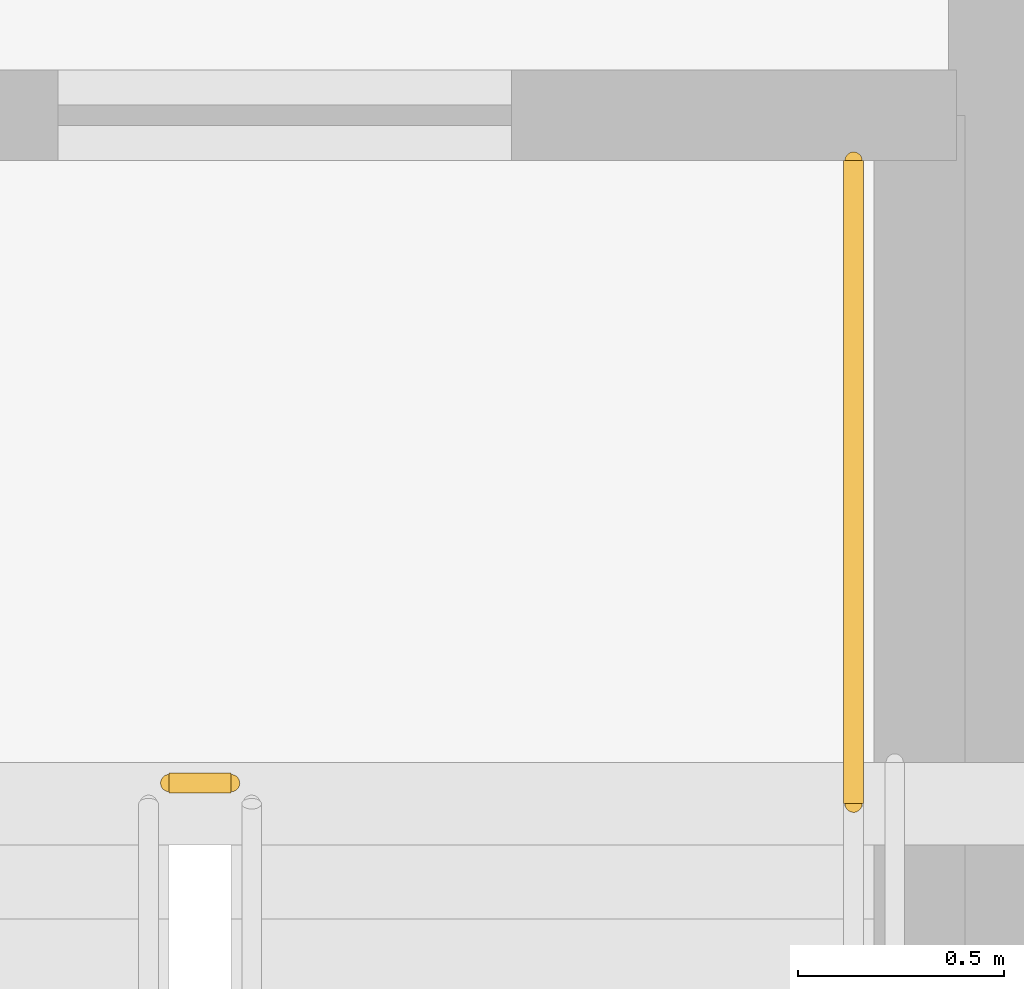
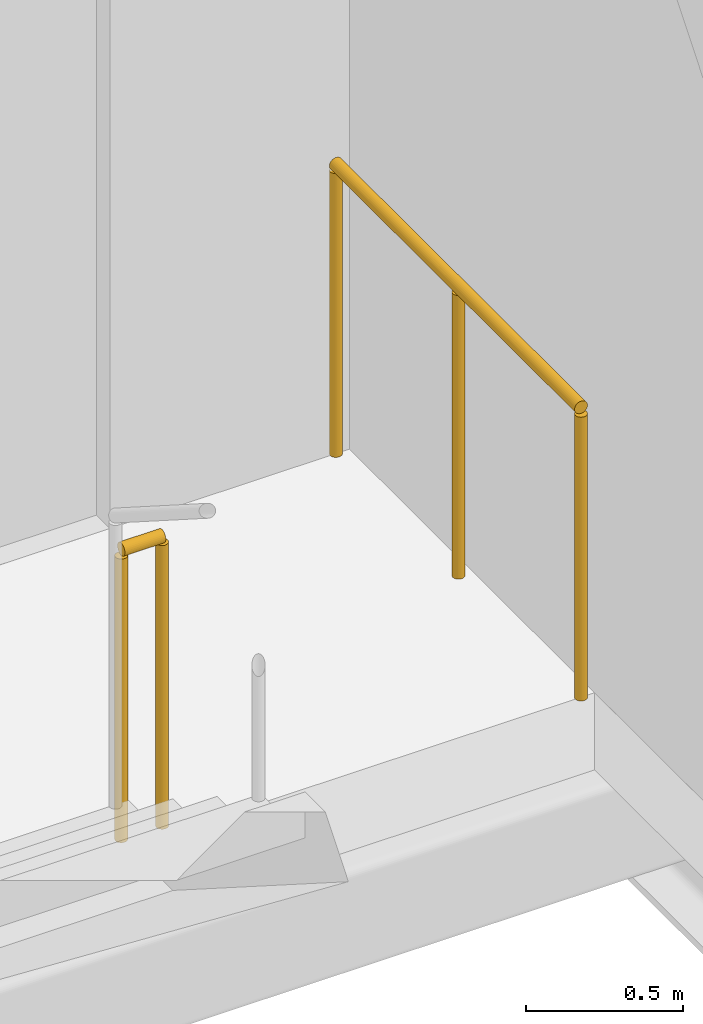
# One storey, part 27 of 31: 2 railings.
"""IFC4 building model written with IfcOpenShell, lengths in metres."""

from ifc_helpers import new_model, si_unit, direction, frame, origin, origin_2d, place, context, subcontext, project, spatial, circle, extrude, material, type_object, element, save


model = new_model("IFC4")

# Units and contexts
model_context = context("Model", 3, precision=1e-05, world=origin(), true_north=direction((0.0, 1.0)))
body_context = subcontext(model_context, "Body", "Model", "MODEL_VIEW")
ifc_project = project(units=[si_unit("LENGTHUNIT", "METRE"), si_unit("AREAUNIT", "SQUARE_METRE"), si_unit("VOLUMEUNIT", "CUBIC_METRE"), si_unit("PLANEANGLEUNIT", "RADIAN"), si_unit("MASSUNIT", "GRAM", prefix="KILO")], contexts=[model_context])

# Site, building, storey
site_placement = place(None, origin())
site = spatial("IfcSite", under=ifc_project, at=site_placement, CompositionType="ELEMENT")
building_placement = place(site_placement, origin())
building = spatial("IfcBuilding", under=site, at=building_placement, Name="Khairoan Windgate Tower", CompositionType="ELEMENT")
storey_placement = place(building_placement, frame((0.0, 0.0, 6.0)))
storey = spatial("IfcBuildingStorey", under=building, at=storey_placement, Name="L02", CompositionType="ELEMENT", Elevation=6.0)

# Railings
ifc_material = material(Name="Steel S355", Category="steel")
railing_type = type_object("IfcRailingType", Name="Stairwell Safety Guardrail SGR-1150", PredefinedType="GUARDRAIL", material=ifc_material)
railing_1_placement = place(storey_placement, frame((17.7099609375, -9.2099609375, 0.0)))
element("IfcRailing", 1, at=railing_1_placement, inside=storey, type_object=railing_type, Name="L02 ST1 stair guard 7", PredefinedType="GUARDRAIL", context=body_context, shape_type="SweptSolid", body=[
    extrude(circle(Radius=0.02392578125, at=origin_2d()), frame((0.0, 0.0, 1.1259765625), z_axis=(1.0, 0.0, 0.0), x_axis=(0.0, 1.0, 0.0)), (0.0, 0.0, 1.0), 0.150146484375),
    extrude(circle(Radius=0.02099609375, at=origin_2d()), origin(), (0.0, 0.0, 1.0), 1.101806640625),
    extrude(circle(Radius=0.02099609375, at=origin_2d()), frame((0.150146484375, 0.0, 0.0)), (0.0, 0.0, 1.0), 1.101806640625),
])
railing_2_placement = place(storey_placement, frame((19.3701171875, -7.699951171875, 0.0)))
element("IfcRailing", 2, at=railing_2_placement, inside=storey, type_object=railing_type, Name="L02 ST1 stair guard 9", PredefinedType="GUARDRAIL", context=body_context, shape_type="SweptSolid", body=[
    extrude(circle(Radius=0.02392578125, at=origin_2d()), frame((0.0, 0.0, 1.1259765625), z_axis=(0.0, -1.0, 0.0), x_axis=(1.0, 0.0, 0.0)), (0.0, 0.0, 1.0), 1.56005859375),
    extrude(circle(Radius=0.02099609375, at=origin_2d()), origin(), (0.0, 0.0, 1.0), 1.101806640625),
    extrude(circle(Radius=0.02099609375, at=origin_2d()), frame((0.0, -0.780029296875, 0.0)), (0.0, 0.0, 1.0), 1.101806640625),
    extrude(circle(Radius=0.02099609375, at=origin_2d()), frame((0.0, -1.56005859375, 0.0)), (0.0, 0.0, 1.0), 1.101806640625),
])

save(model, "model.ifc")
